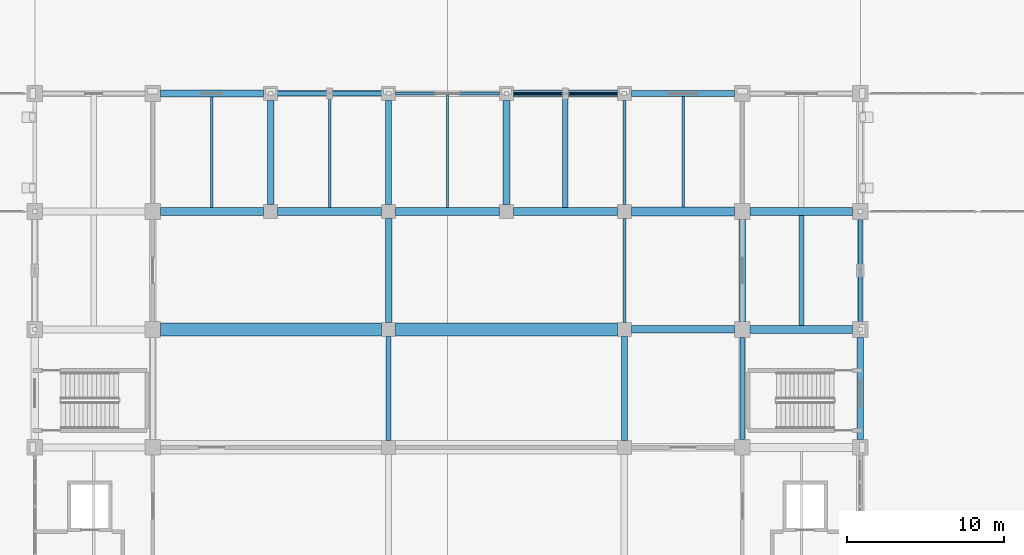
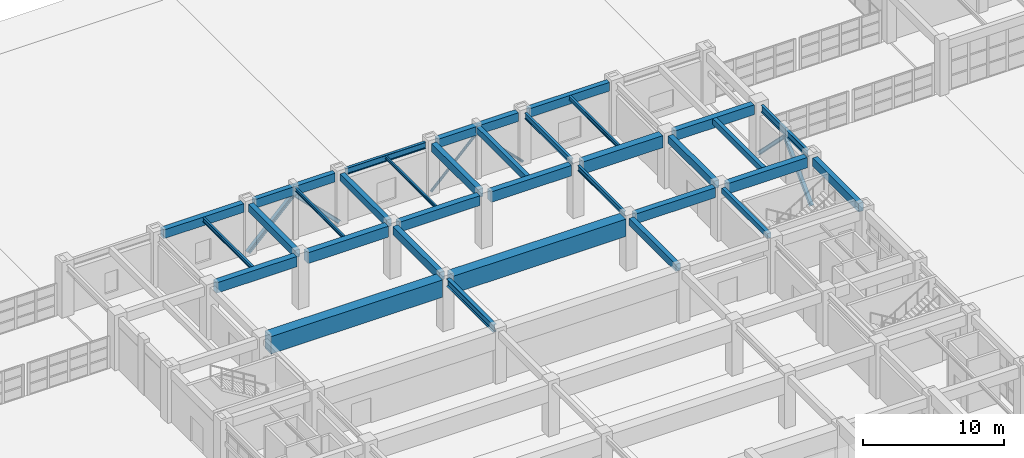
# One storey, part 43 of 122: 33 beams, 6 members.
"""IFC4 building model written with IfcOpenShell, lengths in metres."""

from ifc_helpers import new_model, si_unit, direction, frame, origin, origin_2d, place, context, subcontext, project, spatial, rectangle, hollow_circle, i_section, extrude, material, material_profile, profile_set, type_object, element, save


model = new_model("IFC4")

# Units and contexts
model_context = context("Model", 3, precision=1e-05, world=origin(), true_north=direction((0.0, 1.0)))
body_context = subcontext(model_context, "Body", "Model", "MODEL_VIEW")
ifc_project = project(units=[si_unit("LENGTHUNIT", "METRE"), si_unit("AREAUNIT", "SQUARE_METRE"), si_unit("VOLUMEUNIT", "CUBIC_METRE"), si_unit("PLANEANGLEUNIT", "RADIAN"), si_unit("MASSUNIT", "GRAM", prefix="KILO")], contexts=[model_context])

# Site, building, storey
site_placement = place(None, origin())
site = spatial("IfcSite", under=ifc_project, at=site_placement, CompositionType="ELEMENT")
building_placement = place(site_placement, origin())
building = spatial("IfcBuilding", under=site, at=building_placement, Name="Qasida Concert Hall", CompositionType="ELEMENT")
storey_placement = place(building_placement, origin())
storey = spatial("IfcBuildingStorey", under=building, at=storey_placement, Name="L00", CompositionType="ELEMENT", Elevation=0.0)

# Beams
ifc_material_1 = material(Name="Concrete C40/50", Category="concrete")
ifc_material_profile_1 = material_profile(ifc_material_1, rectangle(XDim=0.39990234375, YDim=0.64990234375, at=origin_2d()), Name="RC 400x650")
ifc_profile_set_1 = profile_set([ifc_material_profile_1], Name="Concrete C40/50")
beam_type_1 = type_object("IfcBeamType", Name="BM-B1", PredefinedType="BEAM", material=ifc_profile_set_1)
beam_1_placement = place(storey_placement, frame((67.5, 75.449951171875, 4.175048828125), z_axis=(0.0, 1.0, 0.0), x_axis=(-1.0, 0.0, 0.0)))
element("IfcBeam", 1, at=beam_1_placement, inside=storey, type_object=beam_type_1, Name="L00 girder 0416", PredefinedType="BEAM", context=body_context, shape_type="SweptSolid", body=[
    extrude(rectangle(XDim=0.39990234375, YDim=0.64990234375, at=origin_2d()), origin(), (0.0, 0.0, 1.0), 6.60009765625),
])
beam_2_placement = place(storey_placement, frame((97.5, 68.0, 4.175048828125), z_axis=(0.0, 1.0, 0.0), x_axis=(-1.0, 0.0, 0.0)))
element("IfcBeam", 2, at=beam_2_placement, inside=storey, type_object=beam_type_1, Name="L00 girder 0434", PredefinedType="BEAM", context=body_context, shape_type="SweptSolid", body=[
    extrude(rectangle(XDim=0.39990234375, YDim=0.64990234375, at=origin_2d()), origin(), (0.0, 0.0, 1.0), 6.5),
])
ifc_material_profile_2 = material_profile(ifc_material_1, rectangle(XDim=0.3798828125, YDim=0.6201171875, at=origin_2d()), Name="RC 380x620")
ifc_profile_set_2 = profile_set([ifc_material_profile_2], Name="Concrete C40/50")
beam_type_2 = type_object("IfcBeamType", Name="BM-B10", PredefinedType="BEAM", material=ifc_profile_set_2)
for number, where, z_axis, x_axis, name in (
    (3, (75.0, 75.449951171875, 4.18994140625), (0.0, 1.0, 0.0), (-1.0, 0.0, 0.0), "L00 girder 0422"),
    (4, (90.0, 60.449951171875, 4.18994140625), (0.0, 1.0, 0.0), (-1.0, 0.0, 0.0), "L00 girder 0427"),
):
    element("IfcBeam", number, at=place(storey_placement, frame(where, z_axis=z_axis, x_axis=x_axis)), inside=storey, type_object=beam_type_2, Name=name, PredefinedType="BEAM", context=body_context, shape_type="SweptSolid", body=[
        extrude(rectangle(XDim=0.3798828125, YDim=0.6201171875, at=origin_2d()), origin(), (0.0, 0.0, 1.0), 6.60009765625),
    ])
ifc_material_profile_3 = material_profile(ifc_material_1, rectangle(XDim=0.419921875, YDim=0.699951171875, at=origin_2d()), Name="RC 420x700")
ifc_profile_set_3 = profile_set([ifc_material_profile_3], Name="Concrete C40/50")
beam_type_3 = type_object("IfcBeamType", Name="BM-B11", PredefinedType="BEAM", material=ifc_profile_set_3)
for number, where, z_axis, x_axis, name in (
    (5, (75.0, 67.949951171875, 4.14990234375), (0.0, 1.0, 0.0), (-1.0, 0.0, 0.0), "L00 girder 0421"),
    (6, (82.5, 75.449951171875, 4.14990234375), (0.0, 1.0, 0.0), (-1.0, 0.0, 0.0), "L00 girder 0423"),
):
    element("IfcBeam", number, at=place(storey_placement, frame(where, z_axis=z_axis, x_axis=x_axis)), inside=storey, type_object=beam_type_3, Name=name, PredefinedType="BEAM", context=body_context, shape_type="SweptSolid", body=[
        extrude(rectangle(XDim=0.419921875, YDim=0.699951171875, at=origin_2d()), origin(), (0.0, 0.0, 1.0), 6.60009765625),
    ])
ifc_material_2 = material(Name="Steel S355J2", Category="steel")
ifc_material_profile_4 = material_profile(ifc_material_2, i_section(OverallWidth=0.300048828125, OverallDepth=0.64990234375, WebThickness=0.01611328125, FlangeThickness=0.031005859375, FilletRadius=0.027099609375, at=origin_2d()), Name="HEB 650")
ifc_profile_set_4 = profile_set([ifc_material_profile_4], Name="Steel S355J2")
beam_type_4 = type_object("IfcBeamType", Name="BM-B13", PredefinedType="BEAM", material=ifc_profile_set_4)
beam_3_placement = place(storey_placement, frame((75.0, 60.449951171875, 4.175048828125), z_axis=(0.0, 1.0, 0.0), x_axis=(-1.0, 0.0, 0.0)))
element("IfcBeam", 7, at=beam_3_placement, inside=storey, type_object=beam_type_4, Name="L00 girder 0420", PredefinedType="BEAM", context=body_context, shape_type="SweptSolid", body=[
    extrude(i_section(OverallWidth=0.300048828125, OverallDepth=0.64990234375, WebThickness=0.01611328125, FlangeThickness=0.031005859375, FilletRadius=0.027099609375, at=origin_2d()), origin(), (0.0, 0.0, 1.0), 6.60009765625),
])
ifc_material_profile_5 = material_profile(ifc_material_1, rectangle(XDim=0.300048828125, YDim=0.449951171875, at=origin_2d()), Name="RC 300x450")
ifc_profile_set_5 = profile_set([ifc_material_profile_5], Name="Concrete C40/50")
beam_type_5 = type_object("IfcBeamType", Name="BM-B3", PredefinedType="BEAM", material=ifc_profile_set_5)
beam_4_placement = place(storey_placement, frame((97.5, 60.5, 4.27490234375), z_axis=(0.0, 1.0, 0.0), x_axis=(-1.0, 0.0, 0.0)))
element("IfcBeam", 8, at=beam_4_placement, inside=storey, type_object=beam_type_5, Name="L00 girder 0433", PredefinedType="BEAM", context=body_context, shape_type="SweptSolid", body=[
    extrude(rectangle(XDim=0.300048828125, YDim=0.449951171875, at=origin_2d()), origin(), (0.0, 0.0, 1.0), 6.5),
])
ifc_material_profile_6 = material_profile(ifc_material_2, i_section(OverallWidth=0.199951171875, OverallDepth=0.5, WebThickness=0.01025390625, FlangeThickness=0.01611328125, FilletRadius=0.02099609375, at=origin_2d()), Name="IPE 500")
ifc_profile_set_6 = profile_set([ifc_material_profile_6], Name="Steel S355J2")
beam_type_6 = type_object("IfcBeamType", Name="BM-B4", PredefinedType="BEAM", material=ifc_profile_set_6)
beam_5_placement = place(storey_placement, frame((90.0, 75.449951171875, 4.25), z_axis=(0.0, 1.0, 0.0), x_axis=(-1.0, 0.0, 0.0)))
element("IfcBeam", 9, at=beam_5_placement, inside=storey, type_object=beam_type_6, Name="L00 girder 0429", PredefinedType="BEAM", context=body_context, shape_type="SweptSolid", body=[
    extrude(i_section(OverallWidth=0.199951171875, OverallDepth=0.5, WebThickness=0.01025390625, FlangeThickness=0.01611328125, FilletRadius=0.02099609375, at=origin_2d()), origin(), (0.0, 0.0, 1.0), 6.60009765625),
])
ifc_material_profile_7 = material_profile(ifc_material_2, i_section(OverallWidth=0.18994140625, OverallDepth=0.449951171875, WebThickness=0.009521484375, FlangeThickness=0.0146484375, FilletRadius=0.02099609375, at=origin_2d()), Name="IPE 450")
ifc_profile_set_7 = profile_set([ifc_material_profile_7], Name="Steel S355J2")
beam_type_7 = type_object("IfcBeamType", Name="BM-B5", PredefinedType="BEAM", material=ifc_profile_set_7)
beam_6_placement = place(storey_placement, frame((90.0, 67.949951171875, 4.27490234375), z_axis=(0.0, 1.0, 0.0), x_axis=(-1.0, 0.0, 0.0)))
element("IfcBeam", 10, at=beam_6_placement, inside=storey, type_object=beam_type_7, Name="L00 girder 0428", PredefinedType="BEAM", context=body_context, shape_type="SweptSolid", body=[
    extrude(i_section(OverallWidth=0.18994140625, OverallDepth=0.449951171875, WebThickness=0.009521484375, FlangeThickness=0.0146484375, FilletRadius=0.02099609375, at=origin_2d()), origin(), (0.0, 0.0, 1.0), 6.60009765625),
])
ifc_material_profile_8 = material_profile(ifc_material_1, rectangle(XDim=0.5, YDim=0.89990234375, at=origin_2d()), Name="RC 500x900")
ifc_profile_set_8 = profile_set([ifc_material_profile_8], Name="Concrete C40/50")
beam_type_8 = type_object("IfcBeamType", Name="BM-G1", PredefinedType="USERDEFINED", material=ifc_profile_set_8)
beam_7_placement = place(storey_placement, frame((98.0, 67.5, 4.050048828125), z_axis=(1.0, 0.0, 0.0), x_axis=(0.0, 1.0, 0.0)))
element("IfcBeam", 11, at=beam_7_placement, inside=storey, type_object=beam_type_8, Name="Primary girder 0389", ObjectType="GIRDER", PredefinedType="USERDEFINED", context=body_context, shape_type="SweptSolid", body=[
    extrude(rectangle(XDim=0.5, YDim=0.89990234375, at=origin_2d()), origin(), (0.0, 0.0, 1.0), 6.5),
])
beam_8_placement = place(storey_placement, frame((60.5, 75.0, 4.050048828125), z_axis=(1.0, 0.0, 0.0), x_axis=(0.0, 1.0, 0.0)))
element("IfcBeam", 12, at=beam_8_placement, inside=storey, type_object=beam_type_8, Name="Primary girder 0391", ObjectType="GIRDER", PredefinedType="USERDEFINED", context=body_context, shape_type="SweptSolid", body=[
    extrude(rectangle(XDim=0.5, YDim=0.89990234375, at=origin_2d()), origin(), (0.0, 0.0, 1.0), 6.550048828125),
])
beam_9_placement = place(storey_placement, frame((82.949951171875, 75.0, 4.050048828125), z_axis=(1.0, 0.0, 0.0), x_axis=(0.0, 1.0, 0.0)))
element("IfcBeam", 13, at=beam_9_placement, inside=storey, type_object=beam_type_8, Name="Primary girder 0394", ObjectType="GIRDER", PredefinedType="USERDEFINED", context=body_context, shape_type="SweptSolid", body=[
    extrude(rectangle(XDim=0.5, YDim=0.89990234375, at=origin_2d()), origin(), (0.0, 0.0, 1.0), 6.60009765625),
])
ifc_material_profile_9 = material_profile(ifc_material_1, rectangle(XDim=0.47998046875, YDim=0.85009765625, at=origin_2d()), Name="RC 480x850")
ifc_profile_set_9 = profile_set([ifc_material_profile_9], Name="Concrete C40/50")
beam_type_9 = type_object("IfcBeamType", Name="BM-G6", PredefinedType="USERDEFINED", material=ifc_profile_set_9)
beam_10_placement = place(storey_placement, frame((90.449951171875, 67.5, 4.074951171875), z_axis=(1.0, 0.0, 0.0), x_axis=(0.0, 1.0, 0.0)))
element("IfcBeam", 14, at=beam_10_placement, inside=storey, type_object=beam_type_9, Name="Primary girder 0388", ObjectType="GIRDER", PredefinedType="USERDEFINED", context=body_context, shape_type="SweptSolid", body=[
    extrude(rectangle(XDim=0.47998046875, YDim=0.85009765625, at=origin_2d()), origin(), (0.0, 0.0, 1.0), 6.550048828125),
])
beam_11_placement = place(storey_placement, frame((75.449951171875, 75.0, 4.074951171875), z_axis=(1.0, 0.0, 0.0), x_axis=(0.0, 1.0, 0.0)))
element("IfcBeam", 15, at=beam_11_placement, inside=storey, type_object=beam_type_9, Name="Primary girder 0393", ObjectType="GIRDER", PredefinedType="USERDEFINED", context=body_context, shape_type="SweptSolid", body=[
    extrude(rectangle(XDim=0.47998046875, YDim=0.85009765625, at=origin_2d()), origin(), (0.0, 0.0, 1.0), 6.60009765625),
])
beam_12_placement = place(storey_placement, frame((98.0, 75.0, 4.074951171875), z_axis=(1.0, 0.0, 0.0), x_axis=(0.0, 1.0, 0.0)))
element("IfcBeam", 16, at=beam_12_placement, inside=storey, type_object=beam_type_9, Name="Primary girder 0396", ObjectType="GIRDER", PredefinedType="USERDEFINED", context=body_context, shape_type="SweptSolid", body=[
    extrude(rectangle(XDim=0.47998046875, YDim=0.85009765625, at=origin_2d()), origin(), (0.0, 0.0, 1.0), 6.5),
])
ifc_material_profile_10 = material_profile(ifc_material_1, rectangle(XDim=0.52001953125, YDim=0.949951171875, at=origin_2d()), Name="RC 520x950")
ifc_profile_set_10 = profile_set([ifc_material_profile_10], Name="Concrete C40/50")
beam_type_10 = type_object("IfcBeamType", Name="BM-G7", PredefinedType="USERDEFINED", material=ifc_profile_set_10)
beam_13_placement = place(storey_placement, frame((67.949951171875, 75.0, 4.02490234375), z_axis=(1.0, 0.0, 0.0), x_axis=(0.0, 1.0, 0.0)))
element("IfcBeam", 17, at=beam_13_placement, inside=storey, type_object=beam_type_10, Name="Primary girder 0392", ObjectType="GIRDER", PredefinedType="USERDEFINED", context=body_context, shape_type="SweptSolid", body=[
    extrude(rectangle(XDim=0.52001953125, YDim=0.949951171875, at=origin_2d()), origin(), (0.0, 0.0, 1.0), 6.60009765625),
])
ifc_material_3 = material(Name="Concrete C50/60", Category="concrete")
ifc_material_profile_11 = material_profile(ifc_material_3, rectangle(XDim=0.580078125, YDim=1.050048828125, at=origin_2d()), Name="RC 580x1050")
ifc_profile_set_11 = profile_set([ifc_material_profile_11], Name="Concrete C50/60")
beam_type_11 = type_object("IfcBeamType", Name="BM-G8", PredefinedType="USERDEFINED", material=ifc_profile_set_11)
beam_14_placement = place(storey_placement, frame((90.449951171875, 75.0, 3.97509765625), z_axis=(1.0, 0.0, 0.0), x_axis=(0.0, 1.0, 0.0)))
element("IfcBeam", 18, at=beam_14_placement, inside=storey, type_object=beam_type_11, Name="Primary girder 0395", ObjectType="GIRDER", PredefinedType="USERDEFINED", context=body_context, shape_type="SweptSolid", body=[
    extrude(rectangle(XDim=0.580078125, YDim=1.050048828125, at=origin_2d()), origin(), (0.0, 0.0, 1.0), 6.550048828125),
])
ifc_material_profile_12 = material_profile(ifc_material_2, i_section(OverallWidth=0.169921875, OverallDepth=0.360107421875, WebThickness=0.008056640625, FlangeThickness=0.0126953125, FilletRadius=0.01806640625, at=origin_2d()), Name="IPE 360")
ifc_profile_set_12 = profile_set([ifc_material_profile_12], Name="Steel S355J2")
beam_type_12 = type_object("IfcBeamType", Name="BM-J2", PredefinedType="JOIST", material=ifc_profile_set_12)
beam_15_placement = place(storey_placement, frame((63.75, 75.25, 4.320068359375), z_axis=(0.0, 1.0, 0.0), x_axis=(-1.0, 0.0, 0.0)))
element("IfcBeam", 19, at=beam_15_placement, inside=storey, type_object=beam_type_12, Name="L00 secondary joist 0449", PredefinedType="JOIST", context=body_context, shape_type="SweptSolid", body=[
    extrude(i_section(OverallWidth=0.169921875, OverallDepth=0.360107421875, WebThickness=0.008056640625, FlangeThickness=0.0126953125, FilletRadius=0.01806640625, at=origin_2d()), origin(), (0.0, 0.0, 1.0), 7.02490234375),
])
beam_16_placement = place(storey_placement, frame((93.75, 75.2900390625, 4.320068359375), z_axis=(0.0, 1.0, 0.0), x_axis=(-1.0, 0.0, 0.0)))
element("IfcBeam", 20, at=beam_16_placement, inside=storey, type_object=beam_type_12, Name="L00 secondary joist 0457", PredefinedType="JOIST", context=body_context, shape_type="SweptSolid", body=[
    extrude(i_section(OverallWidth=0.169921875, OverallDepth=0.360107421875, WebThickness=0.008056640625, FlangeThickness=0.0126953125, FilletRadius=0.01806640625, at=origin_2d()), origin(), (0.0, 0.0, 1.0), 7.010009765625),
])
ifc_material_profile_13 = material_profile(ifc_material_2, i_section(OverallWidth=0.14990234375, OverallDepth=0.300048828125, WebThickness=0.007080078125, FlangeThickness=0.0107421875, FilletRadius=0.014892578125, at=origin_2d()), Name="IPE 300")
ifc_profile_set_13 = profile_set([ifc_material_profile_13], Name="Steel S355J2")
beam_type_13 = type_object("IfcBeamType", Name="BM-J4", PredefinedType="JOIST", material=ifc_profile_set_13)
beam_17_placement = place(storey_placement, frame((71.25, 75.260009765625, 4.35009765625), z_axis=(0.0, 1.0, 0.0), x_axis=(-1.0, 0.0, 0.0)))
element("IfcBeam", 21, at=beam_17_placement, inside=storey, type_object=beam_type_13, Name="L00 secondary joist 0451", PredefinedType="JOIST", context=body_context, shape_type="SweptSolid", body=[
    extrude(i_section(OverallWidth=0.14990234375, OverallDepth=0.300048828125, WebThickness=0.007080078125, FlangeThickness=0.0107421875, FilletRadius=0.014892578125, at=origin_2d()), origin(), (0.0, 0.0, 1.0), 7.0400390625),
])
ifc_material_profile_14 = material_profile(ifc_material_2, i_section(OverallWidth=0.135009765625, OverallDepth=0.27001953125, WebThickness=0.006591796875, FlangeThickness=0.01025390625, FilletRadius=0.014892578125, at=origin_2d()), Name="IPE 270")
ifc_profile_set_14 = profile_set([ifc_material_profile_14], Name="Steel S355J2")
beam_type_14 = type_object("IfcBeamType", Name="BM-J6", PredefinedType="JOIST", material=ifc_profile_set_14)
beam_18_placement = place(storey_placement, frame((78.75, 75.239990234375, 4.364990234375), z_axis=(0.0, 1.0, 0.0), x_axis=(-1.0, 0.0, 0.0)))
element("IfcBeam", 22, at=beam_18_placement, inside=storey, type_object=beam_type_14, Name="L00 secondary joist 0453", PredefinedType="JOIST", context=body_context, shape_type="SweptSolid", body=[
    extrude(i_section(OverallWidth=0.135009765625, OverallDepth=0.27001953125, WebThickness=0.006591796875, FlangeThickness=0.01025390625, FilletRadius=0.014892578125, at=origin_2d()), origin(), (0.0, 0.0, 1.0), 7.155029296875),
])
ifc_material_profile_15 = material_profile(ifc_material_1, rectangle(XDim=0.320068359375, YDim=0.5, at=origin_2d()), Name="RC 320x500")
ifc_profile_set_15 = profile_set([ifc_material_profile_15], Name="Concrete C40/50")
beam_type_15 = type_object("IfcBeamType", Name="BM-J7", PredefinedType="JOIST", material=ifc_profile_set_15)
beam_19_placement = place(storey_placement, frame((101.25, 67.75, 4.25), z_axis=(0.0, 1.0, 0.0), x_axis=(-1.0, 0.0, 0.0)))
element("IfcBeam", 23, at=beam_19_placement, inside=storey, type_object=beam_type_15, Name="L00 secondary joist 0462", PredefinedType="JOIST", context=body_context, shape_type="SweptSolid", body=[
    extrude(rectangle(XDim=0.320068359375, YDim=0.5, at=origin_2d()), origin(), (0.0, 0.0, 1.0), 7.010009765625),
])
ifc_material_profile_16 = material_profile(ifc_material_1, rectangle(XDim=0.35009765625, YDim=0.550048828125, at=origin_2d()), Name="RC 350x550")
ifc_profile_set_16 = profile_set([ifc_material_profile_16], Name="Concrete C40/50")
beam_type_16 = type_object("IfcBeamType", Name="BM-J8", PredefinedType="JOIST", material=ifc_profile_set_16)
beam_20_placement = place(storey_placement, frame((86.25, 75.25, 4.22509765625), z_axis=(0.0, 1.0, 0.0), x_axis=(-1.0, 0.0, 0.0)))
element("IfcBeam", 24, at=beam_20_placement, inside=storey, type_object=beam_type_16, Name="L00 secondary joist 0455", PredefinedType="JOIST", context=body_context, shape_type="SweptSolid", body=[
    extrude(rectangle(XDim=0.35009765625, YDim=0.550048828125, at=origin_2d()), origin(), (0.0, 0.0, 1.0), 7.02490234375),
])
ifc_material_profile_17 = material_profile(ifc_material_1, rectangle(XDim=0.39990234375, YDim=0.75, at=origin_2d()), Name="RC 400x750")
ifc_profile_set_17 = profile_set([ifc_material_profile_17], Name="Concrete C40/50")
beam_type_17 = type_object("IfcBeamType", Name="BM-SP1", PredefinedType="SPANDREL", material=ifc_profile_set_17)
beam_21_placement = place(storey_placement, frame((67.949951171875, 82.5, 4.125), z_axis=(1.0, 0.0, 0.0), x_axis=(0.0, 1.0, 0.0)))
element("IfcBeam", 25, at=beam_21_placement, inside=storey, type_object=beam_type_17, Name="Primary girder 0399", PredefinedType="SPANDREL", context=body_context, shape_type="SweptSolid", body=[
    extrude(rectangle(XDim=0.39990234375, YDim=0.75, at=origin_2d()), origin(), (0.0, 0.0, 1.0), 6.60009765625),
])
beam_22_placement = place(storey_placement, frame((90.449951171875, 82.5, 4.125), z_axis=(1.0, 0.0, 0.0), x_axis=(0.0, 1.0, 0.0)))
element("IfcBeam", 26, at=beam_22_placement, inside=storey, type_object=beam_type_17, Name="Primary girder 0402", PredefinedType="SPANDREL", context=body_context, shape_type="SweptSolid", body=[
    extrude(rectangle(XDim=0.39990234375, YDim=0.75, at=origin_2d()), origin(), (0.0, 0.0, 1.0), 6.550048828125),
])
beam_23_placement = place(storey_placement, frame((105.0, 60.5, 4.125), z_axis=(0.0, 1.0, 0.0), x_axis=(-1.0, 0.0, 0.0)))
element("IfcBeam", 27, at=beam_23_placement, inside=storey, type_object=beam_type_17, Name="L00 girder 0439", PredefinedType="SPANDREL", context=body_context, shape_type="SweptSolid", body=[
    extrude(rectangle(XDim=0.39990234375, YDim=0.75, at=origin_2d()), origin(), (0.0, 0.0, 1.0), 6.5),
])
ifc_material_profile_18 = material_profile(ifc_material_2, i_section(OverallWidth=0.2099609375, OverallDepth=0.550048828125, WebThickness=0.010986328125, FlangeThickness=0.01708984375, FilletRadius=0.02392578125, at=origin_2d()), Name="IPE 550")
ifc_profile_set_18 = profile_set([ifc_material_profile_18], Name="Steel S355J2")
beam_type_18 = type_object("IfcBeamType", Name="BM-SP2", PredefinedType="SPANDREL", material=ifc_profile_set_18)
beam_24_placement = place(storey_placement, frame((75.449951171875, 82.5, 4.22509765625), z_axis=(1.0, 0.0, 0.0), x_axis=(0.0, 1.0, 0.0)))
element("IfcBeam", 28, at=beam_24_placement, inside=storey, type_object=beam_type_18, Name="Primary girder 0400", PredefinedType="SPANDREL", context=body_context, shape_type="SweptSolid", body=[
    extrude(i_section(OverallWidth=0.2099609375, OverallDepth=0.550048828125, WebThickness=0.010986328125, FlangeThickness=0.01708984375, FilletRadius=0.02392578125, at=origin_2d()), origin(), (0.0, 0.0, 1.0), 6.60009765625),
])
ifc_material_profile_19 = material_profile(ifc_material_2, i_section(OverallWidth=0.219970703125, OverallDepth=0.60009765625, WebThickness=0.011962890625, FlangeThickness=0.01904296875, FilletRadius=0.02392578125, at=origin_2d()), Name="IPE 600")
ifc_profile_set_19 = profile_set([ifc_material_profile_19], Name="Steel S355J2")
beam_type_19 = type_object("IfcBeamType", Name="BM-SP3", PredefinedType="SPANDREL", material=ifc_profile_set_19)
beam_25_placement = place(storey_placement, frame((105.0, 68.0, 4.199951171875), z_axis=(0.0, 1.0, 0.0), x_axis=(-1.0, 0.0, 0.0)))
element("IfcBeam", 29, at=beam_25_placement, inside=storey, type_object=beam_type_19, Name="L00 girder 0440", PredefinedType="SPANDREL", context=body_context, shape_type="SweptSolid", body=[
    extrude(i_section(OverallWidth=0.219970703125, OverallDepth=0.60009765625, WebThickness=0.011962890625, FlangeThickness=0.01904296875, FilletRadius=0.02392578125, at=origin_2d()), origin(), (0.0, 0.0, 1.0), 6.5),
])
ifc_material_profile_20 = material_profile(ifc_material_1, rectangle(XDim=0.449951171875, YDim=0.75, at=origin_2d()), Name="RC 450x750")
ifc_profile_set_20 = profile_set([ifc_material_profile_20], Name="Concrete C40/50")
beam_type_20 = type_object("IfcBeamType", Name="BM-SP4", PredefinedType="SPANDREL", material=ifc_profile_set_20)
beam_26_placement = place(storey_placement, frame((60.5, 82.5, 4.125), z_axis=(1.0, 0.0, 0.0), x_axis=(0.0, 1.0, 0.0)))
element("IfcBeam", 30, at=beam_26_placement, inside=storey, type_object=beam_type_20, Name="Primary girder 0398", PredefinedType="SPANDREL", context=body_context, shape_type="SweptSolid", body=[
    extrude(rectangle(XDim=0.449951171875, YDim=0.75, at=origin_2d()), origin(), (0.0, 0.0, 1.0), 6.550048828125),
])
beam_27_placement = place(storey_placement, frame((82.949951171875, 82.5, 4.125), z_axis=(1.0, 0.0, 0.0), x_axis=(0.0, 1.0, 0.0)))
element("IfcBeam", 31, at=beam_27_placement, inside=storey, type_object=beam_type_20, Name="Primary girder 0401", PredefinedType="SPANDREL", context=body_context, shape_type="SweptSolid", body=[
    extrude(rectangle(XDim=0.449951171875, YDim=0.75, at=origin_2d()), origin(), (0.0, 0.0, 1.0), 6.60009765625),
])
ifc_material_profile_21 = material_profile(ifc_material_3, rectangle(XDim=0.85009765625, YDim=1.5, at=origin_2d()), Name="RC 850x1500")
ifc_profile_set_21 = profile_set([ifc_material_profile_21], Name="Concrete C50/60")
beam_type_21 = type_object("IfcBeamType", Name="BM-TG2", PredefinedType="USERDEFINED", material=ifc_profile_set_21)
beam_28_placement = place(storey_placement, frame((60.5, 67.5, 3.75), z_axis=(1.0, 0.0, 0.0), x_axis=(0.0, 1.0, 0.0)))
element("IfcBeam", 32, at=beam_28_placement, inside=storey, type_object=beam_type_21, Name="Transfer girder TG-0386", ObjectType="GIRDER", PredefinedType="USERDEFINED", context=body_context, shape_type="SweptSolid", body=[
    extrude(rectangle(XDim=0.85009765625, YDim=1.5, at=origin_2d()), origin(), (0.0, 0.0, 1.0), 14.050048828125),
])
beam_29_placement = place(storey_placement, frame((75.449951171875, 67.5, 3.75), z_axis=(1.0, 0.0, 0.0), x_axis=(0.0, 1.0, 0.0)))
element("IfcBeam", 33, at=beam_29_placement, inside=storey, type_object=beam_type_21, Name="Transfer girder TG-0387", ObjectType="GIRDER", PredefinedType="USERDEFINED", context=body_context, shape_type="SweptSolid", body=[
    extrude(rectangle(XDim=0.85009765625, YDim=1.5, at=origin_2d()), origin(), (0.0, 0.0, 1.0), 14.10009765625),
])

# Members
ifc_material_profile_22 = material_profile(ifc_material_2, i_section(OverallWidth=0.280029296875, OverallDepth=0.27001953125, WebThickness=0.008056640625, FlangeThickness=0.012939453125, FilletRadius=0.02392578125, at=origin_2d()), Name="HEA 280")
ifc_profile_set_22 = profile_set([ifc_material_profile_22], Name="Steel S355J2")
member_type_1 = type_object("IfcMemberType", Name="MB-BR3", PredefinedType="BRACE", material=ifc_profile_set_22)
for number, where, z_axis, x_axis, name in (
    (34, (105.0, 67.5, 0.0), (0.0, 0.705221847416, 0.708986703632), (-1.0, 0.0, 0.0), "L00 chevron brace CBF-0013"),
    (35, (105.0, 75.0, 0.0), (0.0, -0.705221847416, 0.708986703632), (1.0, 0.0, 0.0), "L00 chevron brace CBF-0014"),
):
    element("IfcMember", number, at=place(storey_placement, frame(where, z_axis=z_axis, x_axis=x_axis)), inside=storey, type_object=member_type_1, Name=name, PredefinedType="BRACE", context=body_context, shape_type="SweptSolid", body=[
        extrude(i_section(OverallWidth=0.280029296875, OverallDepth=0.27001953125, WebThickness=0.008056640625, FlangeThickness=0.012939453125, FilletRadius=0.02392578125, at=origin_2d()), origin(), (0.0, 0.0, 1.0), 5.3173828125),
    ])
ifc_material_profile_23 = material_profile(ifc_material_2, i_section(OverallWidth=0.300048828125, OverallDepth=0.300048828125, WebThickness=0.010986328125, FlangeThickness=0.01904296875, FilletRadius=0.027099609375, at=origin_2d()), Name="HEB 300")
ifc_profile_set_23 = profile_set([ifc_material_profile_23], Name="Steel S355J2")
member_type_2 = type_object("IfcMemberType", Name="MB-BR4", PredefinedType="BRACE", material=ifc_profile_set_23)
for number, where, z_axis, x_axis, name in (
    (36, (67.5, 82.5, 0.0), (0.707106781187, 0.0, 0.707106781187), (0.0, 1.0, 0.0), "L00 chevron brace CBF-0025"),
    (37, (75.0, 82.5, 0.0), (-0.707106781187, 0.0, 0.707106781187), (0.0, -1.0, 0.0), "L00 chevron brace CBF-0026"),
):
    element("IfcMember", number, at=place(storey_placement, frame(where, z_axis=z_axis, x_axis=x_axis)), inside=storey, type_object=member_type_2, Name=name, PredefinedType="BRACE", context=body_context, shape_type="SweptSolid", body=[
        extrude(i_section(OverallWidth=0.300048828125, OverallDepth=0.300048828125, WebThickness=0.010986328125, FlangeThickness=0.01904296875, FilletRadius=0.027099609375, at=origin_2d()), origin(), (0.0, 0.0, 1.0), 5.30322265625),
    ])
ifc_material_profile_24 = material_profile(ifc_material_2, hollow_circle(Radius=0.109619140625, WallThickness=0.010009765625, at=origin_2d()), Name="CHS 219.1x10")
ifc_profile_set_24 = profile_set([ifc_material_profile_24], Name="Steel S355J2")
member_type_3 = type_object("IfcMemberType", Name="MB-BR6", PredefinedType="BRACE", material=ifc_profile_set_24)
for number, where, z_axis, x_axis, name in (
    (38, (82.5, 82.5, 0.0), (0.707106781187, 0.0, 0.707106781187), (0.0, 1.0, 0.0), "L00 chevron brace CBF-0037"),
    (39, (90.0, 82.5, 0.0), (-0.707106781187, 0.0, 0.707106781187), (0.0, -1.0, 0.0), "L00 chevron brace CBF-0038"),
):
    element("IfcMember", number, at=place(storey_placement, frame(where, z_axis=z_axis, x_axis=x_axis)), inside=storey, type_object=member_type_3, Name=name, PredefinedType="BRACE", context=body_context, shape_type="SweptSolid", body=[
        extrude(hollow_circle(Radius=0.109619140625, WallThickness=0.010009765625, at=origin_2d()), origin(), (0.0, 0.0, 1.0), 5.30322265625),
    ])

save(model, "model.ifc")
